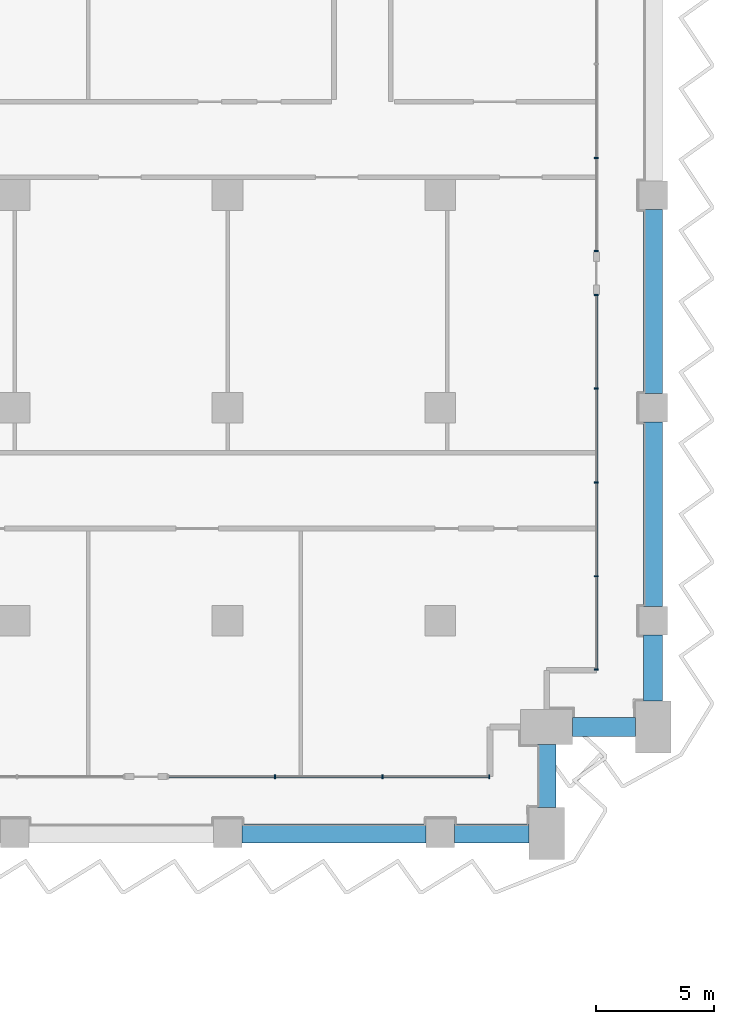
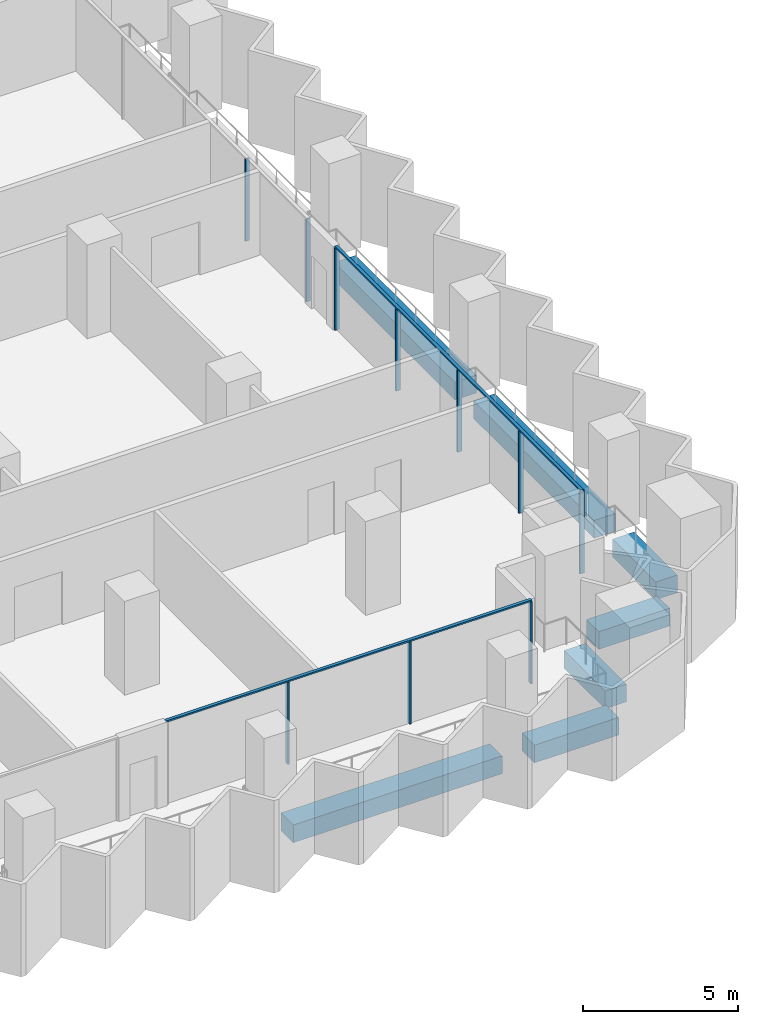
# One storey, part 5 of 22: 12 members, 7 beams, 3 elements without a shape of their own.
"""IFC4 building model written with IfcOpenShell, lengths in metres."""

from ifc_helpers import new_model, si_unit, direction, frame, origin, origin_2d, place, context, subcontext, project, spatial, rectangle, extrude, material, material_profile, profile_set, type_object, element, aggregate, save


model = new_model("IFC4")

# Units and contexts
model_context = context("Model", 3, precision=1e-05, world=origin(), true_north=direction((0.0, 1.0)))
body_context = subcontext(model_context, "Body", "Model", "MODEL_VIEW")
ifc_project = project(units=[si_unit("LENGTHUNIT", "METRE"), si_unit("AREAUNIT", "SQUARE_METRE"), si_unit("VOLUMEUNIT", "CUBIC_METRE"), si_unit("PLANEANGLEUNIT", "RADIAN"), si_unit("MASSUNIT", "GRAM", prefix="KILO")], contexts=[model_context])

# Site, building, storey
site_placement = place(None, origin())
site = spatial("IfcSite", under=ifc_project, at=site_placement, CompositionType="ELEMENT")
building_placement = place(site_placement, origin())
building = spatial("IfcBuilding", under=site, at=building_placement, Name="Hunhe Ridgeline Campus", CompositionType="ELEMENT")
storey_placement = place(building_placement, frame((0.0, 0.0, 88.5)))
storey = spatial("IfcBuildingStorey", under=building, at=storey_placement, Name="L21", CompositionType="ELEMENT", Elevation=88.5)

# Curtain wall, members
ifc_material_1 = material(Name="Aluminium 6063", Category="aluminium")
curtain_wall_type = type_object("IfcCurtainWallType", Name="Curtain wall CW-1", PredefinedType="NOTDEFINED", material=ifc_material_1)
curtain_wall_1_placement = place(storey_placement, origin())
curtain_wall_1 = element("IfcCurtainWall", 1, at=curtain_wall_1_placement, inside=storey, type_object=curtain_wall_type, Name="Curtain wall 14", PredefinedType="NOTDEFINED")
ifc_material_profile_1 = material_profile(ifc_material_1, rectangle(XDim=0.159912109375, YDim=0.06005859375, at=origin_2d()))
ifc_profile_set_1 = profile_set([ifc_material_profile_1], Name="Aluminium 6063")
member_type_1 = type_object("IfcMemberType", Name="CW-1 aluminium mullion", PredefinedType="MULLION", material=ifc_profile_set_1)
member_1_placement = place(storey_placement, frame((64.999267578125, 56.40087890625, 0.0), z_axis=(0.0, 0.0, 1.0), x_axis=(-1.4652e-07, 1.0, 0.0)))
member_1 = element("IfcMember", 2, at=member_1_placement, type_object=member_type_1, Name="CW-1 mullion 2", PredefinedType="MULLION", context=body_context, shape_type="SweptSolid", body=[
    extrude(rectangle(XDim=0.159912109375, YDim=0.06005859375, at=origin_2d()), origin(), (0.0, 0.0, 1.0), 3.239990234375),
])
member_2_placement = place(storey_placement, frame((69.549072265625, 56.40087890625, 0.0), z_axis=(0.0, 0.0, 1.0), x_axis=(-1.4652e-07, 1.0, 0.0)))
member_2 = element("IfcMember", 3, at=member_2_placement, type_object=member_type_1, Name="CW-1 mullion 3", PredefinedType="MULLION", context=body_context, shape_type="SweptSolid", body=[
    extrude(rectangle(XDim=0.159912109375, YDim=0.06005859375, at=origin_2d()), origin(), (0.0, 0.0, 1.0), 3.239990234375),
])
member_3_placement = place(storey_placement, frame((74.069091796875, 56.40087890625, 0.0), z_axis=(0.0, 0.0, 1.0), x_axis=(-1.4652e-07, 1.0, 0.0)))
member_3 = element("IfcMember", 4, at=member_3_placement, type_object=member_type_1, Name="CW-1 mullion 4", PredefinedType="MULLION", context=body_context, shape_type="SweptSolid", body=[
    extrude(rectangle(XDim=0.159912109375, YDim=0.06005859375, at=origin_2d()), origin(), (0.0, 0.0, 1.0), 3.239990234375),
])

curtain_wall_2_placement = place(storey_placement, origin())
curtain_wall_2 = element("IfcCurtainWall", 5, at=curtain_wall_2_placement, inside=storey, type_object=curtain_wall_type, Name="Curtain wall 15", PredefinedType="NOTDEFINED")
member_4_placement = place(storey_placement, frame((78.59912109375, 60.930908203125, 0.0), z_axis=(0.0, 0.0, 1.0), x_axis=(-1.0, 0.0, 0.0)))
member_4 = element("IfcMember", 6, at=member_4_placement, type_object=member_type_1, Name="CW-1 mullion 1", PredefinedType="MULLION", context=body_context, shape_type="SweptSolid", body=[
    extrude(rectangle(XDim=0.159912109375, YDim=0.06005859375, at=origin_2d()), origin(), (0.0, 0.0, 1.0), 3.239990234375),
])
member_5_placement = place(storey_placement, frame((78.59912109375, 64.8759765625, 0.0), z_axis=(0.0, 0.0, 1.0), x_axis=(-1.0, 0.0, 0.0)))
member_5 = element("IfcMember", 7, at=member_5_placement, type_object=member_type_1, Name="CW-1 mullion 2", PredefinedType="MULLION", context=body_context, shape_type="SweptSolid", body=[
    extrude(rectangle(XDim=0.159912109375, YDim=0.06005859375, at=origin_2d()), origin(), (0.0, 0.0, 1.0), 3.239990234375),
])
member_6_placement = place(storey_placement, frame((78.59912109375, 68.850830078125, 0.0), z_axis=(0.0, 0.0, 1.0), x_axis=(-1.0, 0.0, 0.0)))
member_6 = element("IfcMember", 8, at=member_6_placement, type_object=member_type_1, Name="CW-1 mullion 3", PredefinedType="MULLION", context=body_context, shape_type="SweptSolid", body=[
    extrude(rectangle(XDim=0.159912109375, YDim=0.06005859375, at=origin_2d()), origin(), (0.0, 0.0, 1.0), 3.239990234375),
])
member_7_placement = place(storey_placement, frame((78.59912109375, 72.82568359375, 0.0), z_axis=(0.0, 0.0, 1.0), x_axis=(-1.0, 0.0, 0.0)))
member_7 = element("IfcMember", 9, at=member_7_placement, type_object=member_type_1, Name="CW-1 mullion 4", PredefinedType="MULLION", context=body_context, shape_type="SweptSolid", body=[
    extrude(rectangle(XDim=0.159912109375, YDim=0.06005859375, at=origin_2d()), origin(), (0.0, 0.0, 1.0), 3.239990234375),
])
member_8_placement = place(storey_placement, frame((78.59912109375, 76.7705078125, 0.0), z_axis=(0.0, 0.0, 1.0), x_axis=(-1.0, 0.0, 0.0)))
member_8 = element("IfcMember", 10, at=member_8_placement, type_object=member_type_1, Name="CW-1 mullion 5", PredefinedType="MULLION", context=body_context, shape_type="SweptSolid", body=[
    extrude(rectangle(XDim=0.159912109375, YDim=0.06005859375, at=origin_2d()), origin(), (0.0, 0.0, 1.0), 3.239990234375),
])

curtain_wall_3_placement = place(storey_placement, origin())
curtain_wall_3 = element("IfcCurtainWall", 11, at=curtain_wall_3_placement, inside=storey, type_object=curtain_wall_type, Name="Curtain wall 16", PredefinedType="NOTDEFINED")
member_9_placement = place(storey_placement, frame((78.59912109375, 78.630615234375, 0.0), z_axis=(0.0, 0.0, 1.0), x_axis=(-1.0, 0.0, 0.0)))
member_9 = element("IfcMember", 12, at=member_9_placement, type_object=member_type_1, Name="CW-1 mullion 1", PredefinedType="MULLION", context=body_context, shape_type="SweptSolid", body=[
    extrude(rectangle(XDim=0.159912109375, YDim=0.06005859375, at=origin_2d()), origin(), (0.0, 0.0, 1.0), 3.239990234375),
])
member_10_placement = place(storey_placement, frame((78.59912109375, 82.575439453125, 0.0), z_axis=(0.0, 0.0, 1.0), x_axis=(-1.0, 0.0, 0.0)))
member_10 = element("IfcMember", 13, at=member_10_placement, type_object=member_type_1, Name="CW-1 mullion 2", PredefinedType="MULLION", context=body_context, shape_type="SweptSolid", body=[
    extrude(rectangle(XDim=0.159912109375, YDim=0.06005859375, at=origin_2d()), origin(), (0.0, 0.0, 1.0), 3.239990234375),
])
aggregate(curtain_wall_3, [member_9, member_10])

# Member
ifc_material_profile_2 = material_profile(ifc_material_1, rectangle(XDim=0.1201171875, YDim=0.06005859375, at=origin_2d()))
ifc_profile_set_2 = profile_set([ifc_material_profile_2], Name="Aluminium 6063")
member_type_2 = type_object("IfcMemberType", Name="CW-1 aluminium transom", PredefinedType="USERDEFINED", material=ifc_profile_set_2)
member_11_placement = place(storey_placement, frame((60.449462890625, 56.40087890625, 3.27001953125), z_axis=(1.0, 0.0, 0.0), x_axis=(0.0, 1.0, 0.0)))
member_11 = element("IfcMember", 14, at=member_11_placement, type_object=member_type_2, Name="CW-1 transom 1", ObjectType="TRANSOM", PredefinedType="USERDEFINED", context=body_context, shape_type="SweptSolid", body=[
    extrude(rectangle(XDim=0.1201171875, YDim=0.06005859375, at=origin_2d()), origin(), (0.0, 0.0, 1.0), 13.649658203125),
])

aggregate(curtain_wall_1, [member_11, member_1, member_2, member_3])

member_12_placement = place(storey_placement, frame((78.59912109375, 60.90087890625, 3.27001953125), z_axis=(0.0, 1.0, 0.0), x_axis=(-1.0, 0.0, 0.0)))
member_12 = element("IfcMember", 15, at=member_12_placement, type_object=member_type_2, Name="CW-1 transom 1", ObjectType="TRANSOM", PredefinedType="USERDEFINED", context=body_context, shape_type="SweptSolid", body=[
    extrude(rectangle(XDim=0.1201171875, YDim=0.06005859375, at=origin_2d()), origin(), (0.0, 0.0, 1.0), 15.899658203125),
])

aggregate(curtain_wall_2, [member_12, member_4, member_5, member_6, member_7, member_8])

# Beams
ifc_material_2 = material(Name="Concrete C60", Category="concrete")
ifc_material_profile_3 = material_profile(ifc_material_2, rectangle(XDim=0.800048828125, YDim=0.699951171875, at=origin_2d()))
ifc_profile_set_3 = profile_set([ifc_material_profile_3], Name="Concrete C60")
beam_type = type_object("IfcBeamType", Name="RC spandrel beam 800x700 Concrete C60", PredefinedType="SPANDREL", material=ifc_profile_set_3)
beam_1_placement = place(storey_placement, frame((63.60009765625, 54.0, -0.60009765625), z_axis=(1.0, 0.0, 0.0), x_axis=(0.0, 1.0, 0.0)))
element("IfcBeam", 16, at=beam_1_placement, inside=storey, type_object=beam_type, Name="Spandrel beam B1-14 L21", PredefinedType="SPANDREL", context=body_context, shape_type="SweptSolid", body=[
    extrude(rectangle(XDim=0.800048828125, YDim=0.699951171875, at=origin_2d()), origin(), (0.0, 0.0, 1.0), 7.7998046875),
])
beam_2_placement = place(storey_placement, frame((72.60009765625, 54.0, -0.60009765625), z_axis=(1.0, 0.0, 0.0), x_axis=(0.0, 1.0, 0.0)))
element("IfcBeam", 17, at=beam_2_placement, inside=storey, type_object=beam_type, Name="Spandrel beam B1-15 L21", PredefinedType="SPANDREL", context=body_context, shape_type="SweptSolid", body=[
    extrude(rectangle(XDim=0.800048828125, YDim=0.699951171875, at=origin_2d()), origin(), (0.0, 0.0, 1.0), 3.14990234375),
])
for number, where, z_axis, x_axis, name in (
    (18, (76.5, 55.10009765625, -0.60009765625), (0.0, 1.0, 0.0), (-1.0, 0.0, 0.0), "Spandrel beam B1-16 L21"),
    (19, (77.60009765625, 58.5, -0.60009765625), (1.0, 0.0, 0.0), (0.0, 1.0, 0.0), "Spandrel beam B1-17 L21"),
):
    element("IfcBeam", number, at=place(storey_placement, frame(where, z_axis=z_axis, x_axis=x_axis)), inside=storey, type_object=beam_type, Name=name, PredefinedType="SPANDREL", context=body_context, shape_type="SweptSolid", body=[
        extrude(rectangle(XDim=0.800048828125, YDim=0.699951171875, at=origin_2d()), origin(), (0.0, 0.0, 1.0), 2.64990234375),
    ])
beam_3_placement = place(storey_placement, frame((81.0, 59.60009765625, -0.60009765625), z_axis=(0.0, 1.0, 0.0), x_axis=(-1.0, 0.0, 0.0)))
element("IfcBeam", 20, at=beam_3_placement, inside=storey, type_object=beam_type, Name="Spandrel beam B1-18 L21", PredefinedType="SPANDREL", context=body_context, shape_type="SweptSolid", body=[
    extrude(rectangle(XDim=0.800048828125, YDim=0.699951171875, at=origin_2d()), origin(), (0.0, 0.0, 1.0), 2.7998046875),
])
for number, where, z_axis, x_axis, name in (
    (21, (81.0, 63.60009765625, -0.60009765625), (0.0, 1.0, 0.0), (-1.0, 0.0, 0.0), "Spandrel beam B1-19 L21"),
    (22, (81.0, 72.60009765625, -0.60009765625), (0.0, 1.0, 0.0), (-1.0, 0.0, 0.0), "Spandrel beam B1-20 L21"),
):
    element("IfcBeam", number, at=place(storey_placement, frame(where, z_axis=z_axis, x_axis=x_axis)), inside=storey, type_object=beam_type, Name=name, PredefinedType="SPANDREL", context=body_context, shape_type="SweptSolid", body=[
        extrude(rectangle(XDim=0.800048828125, YDim=0.699951171875, at=origin_2d()), origin(), (0.0, 0.0, 1.0), 7.7998046875),
    ])

save(model, "model.ifc")
